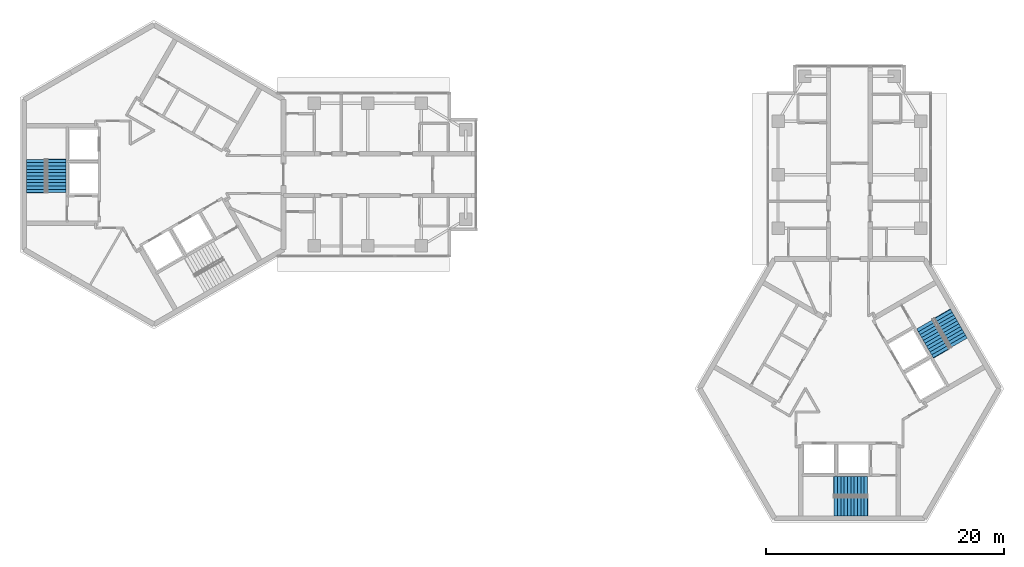
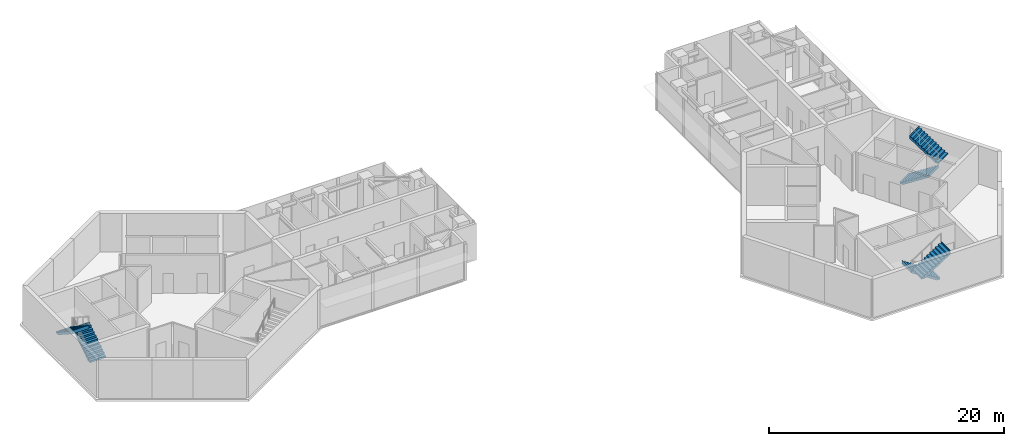
# One storey, part 10 of 11: 6 stair flights, 3 elements without a shape of their own.
"""IFC4 building model written with IfcOpenShell, lengths in metres."""

from ifc_helpers import new_model, si_unit, direction, frame, origin, place, context, subcontext, project, spatial, polyline, outline, extrude, material, type_object, element, aggregate, save


model = new_model("IFC4")

# Units and contexts
model_context = context("Model", 3, precision=1e-05, world=origin(), true_north=direction((0.0, 1.0)))
body_context = subcontext(model_context, "Body", "Model", "MODEL_VIEW")
ifc_project = project(units=[si_unit("LENGTHUNIT", "METRE"), si_unit("AREAUNIT", "SQUARE_METRE"), si_unit("VOLUMEUNIT", "CUBIC_METRE"), si_unit("PLANEANGLEUNIT", "RADIAN"), si_unit("MASSUNIT", "GRAM", prefix="KILO")], contexts=[model_context])

# Site, building, storey
site_placement = place(None, origin())
site = spatial("IfcSite", under=ifc_project, at=site_placement, CompositionType="ELEMENT")
building_placement = place(site_placement, origin())
building = spatial("IfcBuilding", under=site, at=building_placement, Name="Upepo Twin Towers", CompositionType="ELEMENT")
storey_placement = place(building_placement, frame((0.0, 0.0, 255.5)))
storey = spatial("IfcBuildingStorey", under=building, at=storey_placement, Name="L62", CompositionType="ELEMENT", Elevation=255.5)

# Stair, stair flights
ifc_material_1 = material(Name="Concrete C40/50", Category="concrete")
stair_type = type_object("IfcStairType", Name="Core stair, two flights", PredefinedType="HALF_TURN_STAIR", material=ifc_material_1)
stair_1_placement = place(storey_placement, origin())
stair_1 = element("IfcStair", 1, at=stair_1_placement, inside=storey, type_object=stair_type, Name="T1 stair S1 L62", PredefinedType="HALF_TURN_STAIR")
ifc_material_2 = material(Name="Concrete C40/50", Category="concrete")
stair_flight_type = type_object("IfcStairFlightType", Name="Stair flight 1600 RC", PredefinedType="STRAIGHT", material=ifc_material_2)
stair_flight_1_placement = place(storey_placement, frame((-8.199951171875, -1.52001953125, 0.0), z_axis=(0.0, 0.0, 1.0), x_axis=(0.0, 1.0, 0.0)))
stair_flight_1 = element("IfcStairFlight", 2, at=stair_flight_1_placement, type_object=stair_flight_type, Name="Stair S1 flight 1", NumberOfRisers=11, NumberOfTreads=10, PredefinedType="STRAIGHT", RiserHeight=0.181818182, TreadLength=0.28, context=body_context, shape_type="SweptSolid", body=[
    extrude(outline(polyline([(0.0, 0.0), (0.0, 0.181884765625), (0.280029296875, 0.181884765625), (0.280029296875, 0.363525390625), (0.56005859375, 0.363525390625), (0.56005859375, 0.54541015625), (0.840087890625, 0.54541015625), (0.840087890625, 0.727294921875), (1.1201171875, 0.727294921875), (1.1201171875, 0.9091796875), (1.39990234375, 0.9091796875), (1.39990234375, 1.0908203125), (1.679931640625, 1.0908203125), (1.679931640625, 1.272705078125), (1.9599609375, 1.272705078125), (1.9599609375, 1.45458984375), (2.239990234375, 1.45458984375), (2.239990234375, 1.636474609375), (2.52001953125, 1.636474609375), (2.52001953125, 1.818115234375), (2.800048828125, 1.818115234375), (2.800048828125, 2.0), (2.85009765625, 2.0), (2.85009765625, 1.639404296875), (0.3251953125, 0.0), (0.0, 0.0)])), frame((0.0, 0.800048828125, 0.0), z_axis=(0.0, -1.0, 0.0), x_axis=(1.0, 0.0, 0.0)), (0.0, 0.0, 1.0), 1.60009765625),
])
stair_flight_2_placement = place(storey_placement, frame((-9.908447265625, 1.280029296875, 2.0), z_axis=(0.0, 0.0, 1.0), x_axis=(0.0, -1.0, 0.0)))
stair_flight_2 = element("IfcStairFlight", 3, at=stair_flight_2_placement, type_object=stair_flight_type, Name="Stair S1 flight 2", NumberOfRisers=11, NumberOfTreads=10, PredefinedType="STRAIGHT", RiserHeight=0.181818182, TreadLength=0.28, context=body_context, shape_type="SweptSolid", body=[
    extrude(outline(polyline([(0.0, 0.0), (0.0, 0.181884765625), (0.280029296875, 0.181884765625), (0.280029296875, 0.363525390625), (0.56005859375, 0.363525390625), (0.56005859375, 0.54541015625), (0.840087890625, 0.54541015625), (0.840087890625, 0.727294921875), (1.1201171875, 0.727294921875), (1.1201171875, 0.9091796875), (1.39990234375, 0.9091796875), (1.39990234375, 1.0908203125), (1.679931640625, 1.0908203125), (1.679931640625, 1.272705078125), (1.9599609375, 1.272705078125), (1.9599609375, 1.45458984375), (2.239990234375, 1.45458984375), (2.239990234375, 1.636474609375), (2.52001953125, 1.636474609375), (2.52001953125, 1.818115234375), (2.800048828125, 1.818115234375), (2.800048828125, 2.0), (2.85009765625, 2.0), (2.85009765625, 1.639404296875), (0.3251953125, 0.0), (0.0, 0.0)])), frame((0.0, 0.800048828125, 0.0), z_axis=(0.0, -1.0, 0.0), x_axis=(1.0, 0.0, 0.0)), (0.0, 0.0, 1.0), 1.60009765625),
])
aggregate(stair_1, [stair_flight_1, stair_flight_2])

stair_2_placement = place(storey_placement, origin())
stair_2 = element("IfcStair", 4, at=stair_2_placement, inside=storey, type_object=stair_type, Name="T2 stair S1 L62", PredefinedType="HALF_TURN_STAIR")
stair_flight_3_placement = place(storey_placement, frame((60.02001953125, -26.199951171875, 0.0), z_axis=(0.0, 0.0, 1.0), x_axis=(-1.0, 0.0, 0.0)))
stair_flight_3 = element("IfcStairFlight", 5, at=stair_flight_3_placement, type_object=stair_flight_type, Name="Stair S1 flight 1", NumberOfRisers=11, NumberOfTreads=10, PredefinedType="STRAIGHT", RiserHeight=0.181818182, TreadLength=0.28, context=body_context, shape_type="SweptSolid", body=[
    extrude(outline(polyline([(0.0, 0.0), (0.0, 0.181884765625), (0.280029296875, 0.181884765625), (0.280029296875, 0.363525390625), (0.56005859375, 0.363525390625), (0.56005859375, 0.54541015625), (0.840087890625, 0.54541015625), (0.840087890625, 0.727294921875), (1.1201171875, 0.727294921875), (1.1201171875, 0.9091796875), (1.39990234375, 0.9091796875), (1.39990234375, 1.0908203125), (1.679931640625, 1.0908203125), (1.679931640625, 1.272705078125), (1.9599609375, 1.272705078125), (1.9599609375, 1.45458984375), (2.239990234375, 1.45458984375), (2.239990234375, 1.636474609375), (2.52001953125, 1.636474609375), (2.52001953125, 1.818115234375), (2.800048828125, 1.818115234375), (2.800048828125, 2.0), (2.85009765625, 2.0), (2.85009765625, 1.639404296875), (0.3251953125, 0.0), (0.0, 0.0)])), frame((0.0, 0.800048828125, 0.0), z_axis=(0.0, -1.0, 0.0), x_axis=(1.0, 0.0, 0.0)), (0.0, 0.0, 1.0), 1.60009765625),
])
stair_flight_4_placement = place(storey_placement, frame((57.219970703125, -27.908447265625, 2.0), z_axis=(0.0, 0.0, 1.0), x_axis=(1.0, 0.0, 0.0)))
stair_flight_4 = element("IfcStairFlight", 6, at=stair_flight_4_placement, type_object=stair_flight_type, Name="Stair S1 flight 2", NumberOfRisers=11, NumberOfTreads=10, PredefinedType="STRAIGHT", RiserHeight=0.181818182, TreadLength=0.28, context=body_context, shape_type="SweptSolid", body=[
    extrude(outline(polyline([(0.0, 0.0), (0.0, 0.181884765625), (0.280029296875, 0.181884765625), (0.280029296875, 0.363525390625), (0.56005859375, 0.363525390625), (0.56005859375, 0.54541015625), (0.840087890625, 0.54541015625), (0.840087890625, 0.727294921875), (1.1201171875, 0.727294921875), (1.1201171875, 0.9091796875), (1.39990234375, 0.9091796875), (1.39990234375, 1.0908203125), (1.679931640625, 1.0908203125), (1.679931640625, 1.272705078125), (1.9599609375, 1.272705078125), (1.9599609375, 1.45458984375), (2.239990234375, 1.45458984375), (2.239990234375, 1.636474609375), (2.52001953125, 1.636474609375), (2.52001953125, 1.818115234375), (2.800048828125, 1.818115234375), (2.800048828125, 2.0), (2.85009765625, 2.0), (2.85009765625, 1.639404296875), (0.3251953125, 0.0), (0.0, 0.0)])), frame((0.0, 0.800048828125, 0.0), z_axis=(0.0, -1.0, 0.0), x_axis=(1.0, 0.0, 0.0)), (0.0, 0.0, 1.0), 1.60009765625),
])
aggregate(stair_2, [stair_flight_3, stair_flight_4])

stair_3_placement = place(storey_placement, origin())
stair_3 = element("IfcStair", 7, at=stair_3_placement, inside=storey, type_object=stair_type, Name="T2 stair S2 L62", PredefinedType="HALF_TURN_STAIR")
stair_flight_5_placement = place(storey_placement, frame((64.84130859375, -12.583740234375, 0.0), z_axis=(0.0, 0.0, 1.0), x_axis=(0.5, -0.866025403784, 0.0)))
stair_flight_5 = element("IfcStairFlight", 8, at=stair_flight_5_placement, type_object=stair_flight_type, Name="Stair S2 flight 1", NumberOfRisers=11, NumberOfTreads=10, PredefinedType="STRAIGHT", RiserHeight=0.181818182, TreadLength=0.28, context=body_context, shape_type="SweptSolid", body=[
    extrude(outline(polyline([(0.0, 0.0), (0.0, 0.181884765625), (0.280029296875, 0.181884765625), (0.280029296875, 0.363525390625), (0.56005859375, 0.363525390625), (0.56005859375, 0.54541015625), (0.840087890625, 0.54541015625), (0.840087890625, 0.727294921875), (1.1201171875, 0.727294921875), (1.1201171875, 0.9091796875), (1.39990234375, 0.9091796875), (1.39990234375, 1.0908203125), (1.679931640625, 1.0908203125), (1.679931640625, 1.272705078125), (1.9599609375, 1.272705078125), (1.9599609375, 1.45458984375), (2.239990234375, 1.45458984375), (2.239990234375, 1.636474609375), (2.52001953125, 1.636474609375), (2.52001953125, 1.818115234375), (2.800048828125, 1.818115234375), (2.800048828125, 2.0), (2.85009765625, 2.0), (2.85009765625, 1.639404296875), (0.3251953125, 0.0), (0.0, 0.0)])), frame((0.0, 0.800048828125, 0.0), z_axis=(0.0, -1.0, 0.0), x_axis=(1.0, 0.0, 0.0)), (0.0, 0.0, 1.0), 1.60009765625),
])
stair_flight_6_placement = place(storey_placement, frame((67.720947265625, -14.154296875, 2.0), z_axis=(0.0, 0.0, 1.0), x_axis=(-0.5, 0.866025403784, 0.0)))
stair_flight_6 = element("IfcStairFlight", 9, at=stair_flight_6_placement, type_object=stair_flight_type, Name="Stair S2 flight 2", NumberOfRisers=11, NumberOfTreads=10, PredefinedType="STRAIGHT", RiserHeight=0.181818182, TreadLength=0.28, context=body_context, shape_type="SweptSolid", body=[
    extrude(outline(polyline([(0.0, 0.0), (0.0, 0.181884765625), (0.280029296875, 0.181884765625), (0.280029296875, 0.363525390625), (0.56005859375, 0.363525390625), (0.56005859375, 0.54541015625), (0.840087890625, 0.54541015625), (0.840087890625, 0.727294921875), (1.1201171875, 0.727294921875), (1.1201171875, 0.9091796875), (1.39990234375, 0.9091796875), (1.39990234375, 1.0908203125), (1.679931640625, 1.0908203125), (1.679931640625, 1.272705078125), (1.9599609375, 1.272705078125), (1.9599609375, 1.45458984375), (2.239990234375, 1.45458984375), (2.239990234375, 1.636474609375), (2.52001953125, 1.636474609375), (2.52001953125, 1.818115234375), (2.800048828125, 1.818115234375), (2.800048828125, 2.0), (2.85009765625, 2.0), (2.85009765625, 1.639404296875), (0.3251953125, 0.0), (0.0, 0.0)])), frame((0.0, 0.800048828125, 0.0), z_axis=(0.0, -1.0, 0.0), x_axis=(1.0, 0.0, 0.0)), (0.0, 0.0, 1.0), 1.60009765625),
])
aggregate(stair_3, [stair_flight_5, stair_flight_6])

save(model, "model.ifc")
